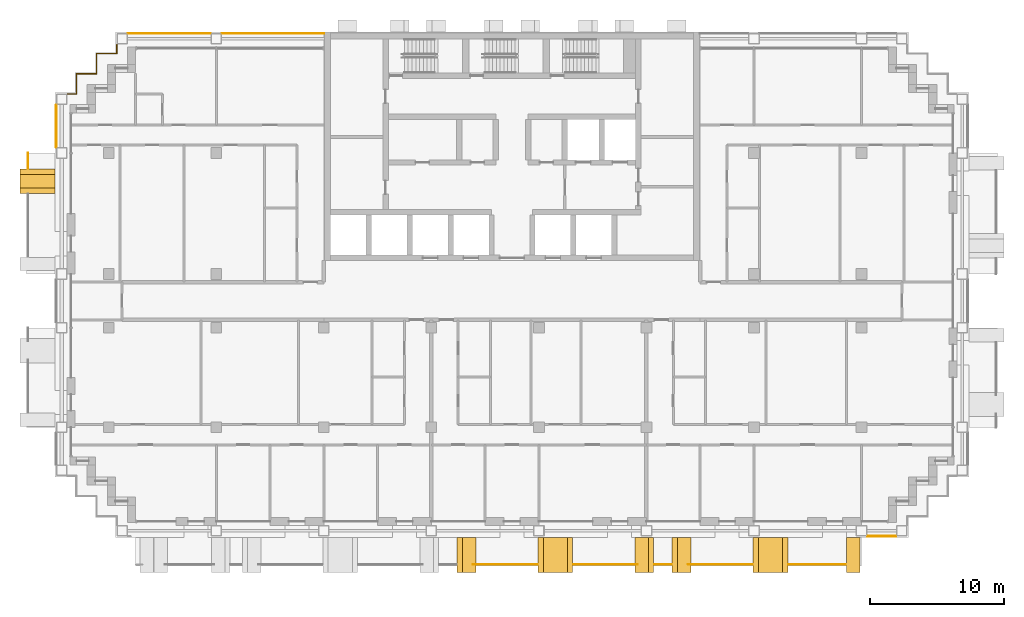
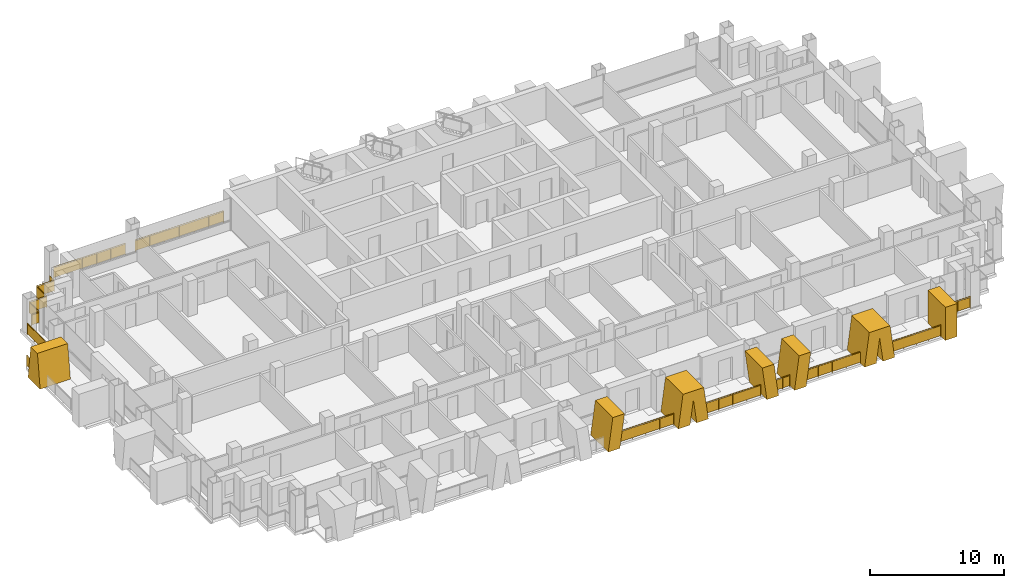
# One storey, part 14 of 16: 11 railings, 7 shading devices.
"""IFC4 building model written with IfcOpenShell, lengths in metres."""

import ifcopenshell
import ifcopenshell.guid

model = None  # the IFC model being written
_history = None  # IfcOwnerHistory: only IFC2X3 demands one
_inside = {}  # id of a spatial element -> (the spatial element, [elements in it])
_under = {}  # id of a project, library or spatial element -> (it, [spatial elements below it])
_declared = {}  # id of a project -> (the project, [libraries it declares])
_typed = {}  # id of a type object -> (the type object, [elements of that type])
_made_of = {}  # id of a material, layer set ... -> (it, [elements and type objects made of it])


def new_model(schema):
    """Start an empty IFC model of exactly this schema.

    Asked for "IFC4X3", IfcOpenShell would pick the latest addendum, in which some entities
    have other attributes; the version numbers below select the first issue.
    IFC2X3 requires an IfcOwnerHistory on every rooted entity: one is made here for all.
    """
    global model, _history
    if schema == "IFC4X3":
        model = ifcopenshell.file(schema_version=(4, 3, 0, 0))
    else:
        model = ifcopenshell.file(schema=schema)
    _inside.clear()
    _under.clear()
    _declared.clear()
    _typed.clear()
    _made_of.clear()
    _history = None
    if model.schema == "IFC2X3":
        org = make("IfcOrganization", Name="unknown")
        user = make(
            "IfcPersonAndOrganization",
            ThePerson=make("IfcPerson", FamilyName="unknown"),
            TheOrganization=org,
        )
        app = make(
            "IfcApplication",
            ApplicationDeveloper=org,
            Version="unknown",
            ApplicationFullName="unknown",
            ApplicationIdentifier="unknown",
        )
        _history = make(
            "IfcOwnerHistory",
            OwningUser=user,
            OwningApplication=app,
            ChangeAction="ADDED",
            CreationDate=0,
        )
    return model


def make(cls, **values):
    """One entity of the class cls with the attributes given. An attribute that is None is left unset."""
    return model.create_entity(
        cls, **{name: value for name, value in values.items() if value is not None}
    )


def rooted(cls, **values):
    """An entity with a GlobalId (a new one), such as an element, a storey or a relation."""
    return make(cls, GlobalId=ifcopenshell.guid.new(), OwnerHistory=_history, **values)


def si_unit(unit_type, name, prefix=None):
    """IfcSIUnit, for example si_unit("LENGTHUNIT", "METRE", prefix="MILLI")."""
    return make("IfcSIUnit", UnitType=unit_type, Prefix=prefix, Name=name)


def assignment(units):
    """IfcUnitAssignment: the units of a project."""
    return None if units is None else make("IfcUnitAssignment", Units=units)


def point(xyz):
    """IfcCartesianPoint."""
    return None if xyz is None else make("IfcCartesianPoint", Coordinates=xyz)


def direction(xyz):
    """IfcDirection."""
    return None if xyz is None else make("IfcDirection", DirectionRatios=xyz)


def frame(location, z_axis=None, x_axis=None):
    """IfcAxis2Placement3D, a coordinate frame: its origin and axes. An axis left out is left unset."""
    return make(
        "IfcAxis2Placement3D",
        Location=point(location),
        Axis=direction(z_axis),
        RefDirection=direction(x_axis),
    )


def frame_2d(location, x_axis=None):
    """IfcAxis2Placement2D, a coordinate frame in the plane: its origin and x axis."""
    return make(
        "IfcAxis2Placement2D", Location=point(location), RefDirection=direction(x_axis)
    )


def origin():
    """The frame at (0, 0, 0) with its axes left unset."""
    return frame((0.0, 0.0, 0.0))


def origin_2d():
    """The frame at (0, 0) in the plane with its x axis left unset."""
    return frame_2d((0.0, 0.0))


def place(relative_to, where):
    """IfcLocalPlacement: puts the frame where relative to a parent placement (None: the world)."""
    return make(
        "IfcLocalPlacement", PlacementRelTo=relative_to, RelativePlacement=where
    )


def context(
    kind, dimensions, precision=None, world=None, true_north=None, identifier=None
):
    """IfcGeometricRepresentationContext, for example the 3D "Model" context."""
    return make(
        "IfcGeometricRepresentationContext",
        ContextIdentifier=identifier,
        ContextType=kind,
        CoordinateSpaceDimension=dimensions,
        Precision=precision,
        WorldCoordinateSystem=world,
        TrueNorth=true_north,
    )


def subcontext(parent, identifier, kind, view, scale=None):
    """IfcGeometricRepresentationSubContext, for example "Body" below "Model"."""
    return make(
        "IfcGeometricRepresentationSubContext",
        ContextIdentifier=identifier,
        ContextType=kind,
        ParentContext=parent,
        TargetScale=scale,
        TargetView=view,
    )


def project(units=None, contexts=None):
    """IfcProject with its units and contexts."""
    return rooted(
        "IfcProject",
        Name="project",
        RepresentationContexts=contexts,
        UnitsInContext=assignment(units),
    )


def spatial(cls, under=None, at=None, **own):
    """A site, building, storey or space (cls), placed at a placement, below another one or the project."""
    s = rooted(cls, ObjectPlacement=at, **own)
    if under is not None:
        _under.setdefault(under.id(), (under, []))[1].append(s)
    return s


def polyline(points):
    """IfcPolyline through the points."""
    return make("IfcPolyline", Points=[point(p) for p in points])


def profile(cls, at=None, kind="AREA", **sizes):
    """A parametric profile (cls). Its sizes go by their IFC names, for example OverallWidth=200.0."""
    return make(cls, ProfileType=kind, Position=at, **sizes)


def rectangle(**sizes):
    """IfcRectangleProfileDef."""
    return profile("IfcRectangleProfileDef", **sizes)


def circle(**sizes):
    """IfcCircleProfileDef."""
    return profile("IfcCircleProfileDef", **sizes)


def outline(outer, holes=None, kind="AREA"):
    """IfcArbitraryClosedProfileDef: a profile drawn as a closed curve; with holes, ...WithVoids."""
    if holes is None:
        return make("IfcArbitraryClosedProfileDef", ProfileType=kind, OuterCurve=outer)
    return make(
        "IfcArbitraryProfileDefWithVoids",
        ProfileType=kind,
        OuterCurve=outer,
        InnerCurves=holes,
    )


def extrude(swept, where, along, depth):
    """IfcExtrudedAreaSolid: the profile swept, set in the frame where, extruded along a direction by depth."""
    return make(
        "IfcExtrudedAreaSolid",
        SweptArea=swept,
        Position=where,
        ExtrudedDirection=direction(along),
        Depth=depth,
    )


def shape(context_of_items, identifier, shape_type, items):
    """IfcShapeRepresentation: the items that make up one representation, for example the "Body"."""
    return make(
        "IfcShapeRepresentation",
        ContextOfItems=context_of_items,
        RepresentationIdentifier=identifier,
        RepresentationType=shape_type,
        Items=items,
    )


def material(Name=None, Category=None):
    """IfcMaterial."""
    return make("IfcMaterial", Name=Name, Category=Category)


def layer(
    of_material, thickness, ventilated=None, Name=None, Category=None, Priority=None
):
    """IfcMaterialLayer: one layer of a wall or slab, of a material (None: an air gap)."""
    return make(
        "IfcMaterialLayer",
        Material=of_material,
        LayerThickness=thickness,
        IsVentilated=ventilated,
        Name=Name,
        Category=Category,
        Priority=Priority,
    )


def layer_set(layers, Name=None):
    """IfcMaterialLayerSet."""
    return make("IfcMaterialLayerSet", MaterialLayers=layers, LayerSetName=Name)


def made_of(thing, what):
    """Note that an element or type object is made of a material, layer set ...; save() writes the relation."""
    if what is not None:
        _made_of.setdefault(what.id(), (what, []))[1].append(thing)
    return thing


def type_object(cls, material=None, **own):
    """A type object (cls), such as IfcWallType, which elements share."""
    return made_of(rooted(cls, **own), material)


def element(
    cls,
    number,
    at=None,
    inside=None,
    cuts=None,
    type_object=None,
    material=None,
    context=None,
    identifier="Body",
    shape_type=None,
    held_by="IfcProductDefinitionShape",
    body=None,
    shapes=None,
    **own,
):
    """One element of the class cls, such as IfcWall. Its Tag is "e" and its number.

    at: its placement. inside: the storey or other place that contains it. cuts: it is an
    opening in that element (IfcRelVoidsElement). A single representation is given by context,
    identifier, shape_type and body (its items); several are given by shapes. held_by: the class
    of the entity that holds the representations. save() writes the other relations.
    """
    e = rooted(cls, Tag="e%d" % number, ObjectPlacement=at, **own)
    if body is not None:
        shapes = [shape(context, identifier, shape_type, body)]
    if shapes is not None:
        e.Representation = make(held_by, Representations=shapes)
    if inside is not None:
        _inside.setdefault(inside.id(), (inside, []))[1].append(e)
    if cuts is not None:
        rooted(
            "IfcRelVoidsElement", RelatingBuildingElement=cuts, RelatedOpeningElement=e
        )
    if type_object is not None:
        _typed.setdefault(type_object.id(), (type_object, []))[1].append(e)
    return made_of(e, material)


def aggregate(whole, parts):
    """IfcRelAggregates: a whole, such as a stair, and the parts it consists of."""
    return rooted("IfcRelAggregates", RelatingObject=whole, RelatedObjects=parts)


def save(model, path):
    """Write the relations noted so far, then the file.

    IfcRelAggregates (storeys below a building ...), IfcRelContainedInSpatialStructure (elements
    in a storey), IfcRelDefinesByType, IfcRelAssociatesMaterial and IfcRelDeclares: one each for
    every whole, place, type object, material and project.
    """
    for whole, parts in _under.values():
        aggregate(whole, parts)
    for where, things in _inside.values():
        rooted(
            "IfcRelContainedInSpatialStructure",
            RelatedElements=things,
            RelatingStructure=where,
        )
    for kind, things in _typed.values():
        rooted("IfcRelDefinesByType", RelatedObjects=things, RelatingType=kind)
    for what, things in _made_of.values():
        rooted("IfcRelAssociatesMaterial", RelatedObjects=things, RelatingMaterial=what)
    for by, libraries in _declared.values():
        rooted("IfcRelDeclares", RelatingContext=by, RelatedDefinitions=libraries)
    model.write(path)


model = new_model("IFC4")

# Units and contexts
model_context = context("Model", 3, precision=1e-05, world=origin(), true_north=direction((0.0, 1.0)))
body_context = subcontext(model_context, "Body", "Model", "MODEL_VIEW")
ifc_project = project(units=[si_unit("LENGTHUNIT", "METRE"), si_unit("AREAUNIT", "SQUARE_METRE"), si_unit("VOLUMEUNIT", "CUBIC_METRE"), si_unit("PLANEANGLEUNIT", "RADIAN"), si_unit("MASSUNIT", "GRAM", prefix="KILO")], contexts=[model_context])

# Site, building, storey
site_placement = place(None, origin())
site = spatial("IfcSite", under=ifc_project, at=site_placement, CompositionType="ELEMENT")
building_placement = place(site_placement, origin())
building = spatial("IfcBuilding", under=site, at=building_placement, Name="Vidyagriha Tower", CompositionType="ELEMENT")
storey_placement = place(building_placement, frame((0.0, 0.0, 129.39990234375)))
storey = spatial("IfcBuildingStorey", under=building, at=storey_placement, Name="L33", CompositionType="ELEMENT", Elevation=129.39990234375)

# Railings
ifc_material_1 = material(Name="Steel ASTM A500 Grade C black painted", Category="steel")
railing_type_1 = type_object("IfcRailingType", Name="Balcony guard 1100", PredefinedType="BALUSTRADE", material=ifc_material_1)
railing_1_placement = place(storey_placement, frame((-36.0, 11.0, 0.0)))
element("IfcRailing", 1, at=railing_1_placement, inside=storey, type_object=railing_type_1, Name="Balcony guard L33 R16.1-1", PredefinedType="BALUSTRADE", context=body_context, shape_type="SweptSolid", body=[
    extrude(circle(Radius=0.02490234375, at=origin_2d()), frame((0.0, 0.0, 1.0751953125), z_axis=(0.0, -1.0, 0.0), x_axis=(1.0, 0.0, 0.0)), (0.0, 0.0, 1.0), 1.14990234375),
    extrude(circle(Radius=0.02001953125, at=origin_2d()), origin(), (0.0, 0.0, 1.0), 1.050048828125),
    extrude(circle(Radius=0.02001953125, at=origin_2d()), frame((0.0, -1.14990234375, 0.0)), (0.0, 0.0, 1.0), 1.050048828125),
    extrude(rectangle(XDim=0.010009765625, YDim=0.900146484375, at=origin_2d()), frame((0.0, 0.0, 0.550048828125), z_axis=(0.0, -1.0, 0.0), x_axis=(1.0, 0.0, 0.0)), (0.0, 0.0, 1.0), 1.14990234375),
])
for number, where, name in (
    (2, (-2.888671875, -19.60009765625, 0.0), "Balcony guard L33 R23.1-7"),
    (3, (4.56494140625, -19.60009765625, 0.0), "Balcony guard L33 R23.1-8"),
):
    element("IfcRailing", number, at=place(storey_placement, frame(where)), inside=storey, type_object=railing_type_1, Name=name, PredefinedType="BALUSTRADE", context=body_context, shape_type="SweptSolid", body=[
        extrude(circle(Radius=0.02490234375, at=origin_2d()), frame((0.0, 0.0, 1.0751953125), z_axis=(1.0, 0.0, 0.0), x_axis=(0.0, 1.0, 0.0)), (0.0, 0.0, 1.0), 4.773681640625),
        extrude(circle(Radius=0.02001953125, at=origin_2d()), origin(), (0.0, 0.0, 1.0), 1.050048828125),
        extrude(circle(Radius=0.02001953125, at=origin_2d()), frame((1.193359375, 0.0, 0.0)), (0.0, 0.0, 1.0), 1.050048828125),
        extrude(circle(Radius=0.02001953125, at=origin_2d()), frame((2.38671875, 0.0, 0.0)), (0.0, 0.0, 1.0), 1.050048828125),
        extrude(circle(Radius=0.02001953125, at=origin_2d()), frame((3.580322265625, 0.0, 0.0)), (0.0, 0.0, 1.0), 1.050048828125),
        extrude(circle(Radius=0.02001953125, at=origin_2d()), frame((4.773681640625, 0.0, 0.0)), (0.0, 0.0, 1.0), 1.050048828125),
        extrude(rectangle(XDim=0.010009765625, YDim=0.900146484375, at=origin_2d()), frame((0.0, 0.0, 0.550048828125), z_axis=(1.0, 0.0, 0.0), x_axis=(0.0, 1.0, 0.0)), (0.0, 0.0, 1.0), 4.773681640625),
    ])
railing_2_placement = place(storey_placement, frame((10.590087890625, -19.60009765625, 0.0)))
element("IfcRailing", 4, at=railing_2_placement, inside=storey, type_object=railing_type_1, Name="Balcony guard L33 R23.1-9", PredefinedType="BALUSTRADE", context=body_context, shape_type="SweptSolid", body=[
    extrude(circle(Radius=0.02490234375, at=origin_2d()), frame((0.0, 0.0, 1.0751953125), z_axis=(1.0, 0.0, 0.0), x_axis=(0.0, 1.0, 0.0)), (0.0, 0.0, 1.0), 1.27001953125),
    extrude(circle(Radius=0.02001953125, at=origin_2d()), origin(), (0.0, 0.0, 1.0), 1.050048828125),
    extrude(circle(Radius=0.02001953125, at=origin_2d()), frame((0.635009765625, 0.0, 0.0)), (0.0, 0.0, 1.0), 1.050048828125),
    extrude(circle(Radius=0.02001953125, at=origin_2d()), frame((1.27001953125, 0.0, 0.0)), (0.0, 0.0, 1.0), 1.050048828125),
    extrude(rectangle(XDim=0.010009765625, YDim=0.900146484375, at=origin_2d()), frame((0.0, 0.0, 0.550048828125), z_axis=(1.0, 0.0, 0.0), x_axis=(0.0, 1.0, 0.0)), (0.0, 0.0, 1.0), 1.27001953125),
])
railing_3_placement = place(storey_placement, frame((13.111328125, -19.60009765625, 0.0)))
element("IfcRailing", 5, at=railing_3_placement, inside=storey, type_object=railing_type_1, Name="Balcony guard L33 R23.1-10", PredefinedType="BALUSTRADE", context=body_context, shape_type="SweptSolid", body=[
    extrude(circle(Radius=0.02490234375, at=origin_2d()), frame((0.0, 0.0, 1.0751953125), z_axis=(1.0, 0.0, 0.0), x_axis=(0.0, 1.0, 0.0)), (0.0, 0.0, 1.0), 4.773681640625),
    extrude(circle(Radius=0.02001953125, at=origin_2d()), origin(), (0.0, 0.0, 1.0), 1.050048828125),
    extrude(circle(Radius=0.02001953125, at=origin_2d()), frame((1.193359375, 0.0, 0.0)), (0.0, 0.0, 1.0), 1.050048828125),
    extrude(circle(Radius=0.02001953125, at=origin_2d()), frame((2.38671875, 0.0, 0.0)), (0.0, 0.0, 1.0), 1.050048828125),
    extrude(circle(Radius=0.02001953125, at=origin_2d()), frame((3.580322265625, 0.0, 0.0)), (0.0, 0.0, 1.0), 1.050048828125),
    extrude(circle(Radius=0.02001953125, at=origin_2d()), frame((4.773681640625, 0.0, 0.0)), (0.0, 0.0, 1.0), 1.050048828125),
    extrude(rectangle(XDim=0.010009765625, YDim=0.900146484375, at=origin_2d()), frame((0.0, 0.0, 0.550048828125), z_axis=(1.0, 0.0, 0.0), x_axis=(0.0, 1.0, 0.0)), (0.0, 0.0, 1.0), 4.773681640625),
])
railing_4_placement = place(storey_placement, frame((20.56494140625, -19.60009765625, 0.0)))
element("IfcRailing", 6, at=railing_4_placement, inside=storey, type_object=railing_type_1, Name="Balcony guard L33 R23.1-11", PredefinedType="BALUSTRADE", context=body_context, shape_type="SweptSolid", body=[
    extrude(circle(Radius=0.02490234375, at=origin_2d()), frame((0.0, 0.0, 1.0751953125), z_axis=(1.0, 0.0, 0.0), x_axis=(0.0, 1.0, 0.0)), (0.0, 0.0, 1.0), 4.260009765625),
    extrude(circle(Radius=0.02001953125, at=origin_2d()), origin(), (0.0, 0.0, 1.0), 1.050048828125),
    extrude(circle(Radius=0.02001953125, at=origin_2d()), frame((1.06494140625, 0.0, 0.0)), (0.0, 0.0, 1.0), 1.050048828125),
    extrude(circle(Radius=0.02001953125, at=origin_2d()), frame((2.1298828125, 0.0, 0.0)), (0.0, 0.0, 1.0), 1.050048828125),
    extrude(circle(Radius=0.02001953125, at=origin_2d()), frame((3.195068359375, 0.0, 0.0)), (0.0, 0.0, 1.0), 1.050048828125),
    extrude(circle(Radius=0.02001953125, at=origin_2d()), frame((4.260009765625, 0.0, 0.0)), (0.0, 0.0, 1.0), 1.050048828125),
    extrude(rectangle(XDim=0.010009765625, YDim=0.900146484375, at=origin_2d()), frame((0.0, 0.0, 0.550048828125), z_axis=(1.0, 0.0, 0.0), x_axis=(0.0, 1.0, 0.0)), (0.0, 0.0, 1.0), 4.260009765625),
])

# Shading devices
ifc_material_2 = material(Name="Precast concrete C40/50 with buff brick facing", Category="concrete")
ifc_layer_1 = layer(ifc_material_2, 1.0)
ifc_layer_set_1 = layer_set([ifc_layer_1], Name="Precast concrete C40/50 with buff brick facing")
shading_device_type_1 = type_object("IfcShadingDeviceType", Name="Brick-faced blade fin arm leaning 8 degrees", PredefinedType="USERDEFINED", material=ifc_layer_set_1)
for number, where, name in (
    (7, (-4.090087890625, -18.89990234375, 0.0), "Leaning blade fin L33 R23.2200a"),
    (8, (11.909912109375, -18.89990234375, 0.0), "Leaning blade fin L33 R23.3800a"),
):
    element("IfcShadingDevice", number, at=place(storey_placement, frame(where)), inside=storey, type_object=shading_device_type_1, Name=name, ObjectType="BLADE FIN", PredefinedType="USERDEFINED", context=body_context, shape_type="SweptSolid", body=[
        extrude(outline(polyline([(0.0, 0.0), (1.0, 0.0), (1.39501953125, 3.0), (0.39501953125, 3.0), (0.0, 0.0)])), frame((0.0, 1.300048828125, 0.0), z_axis=(0.0, -1.0, 0.0), x_axis=(1.0, 0.0, 0.0)), (0.0, 0.0, 1.0), 2.60009765625),
    ])
shading_device_1_placement = place(storey_placement, frame((9.14501953125, -18.89990234375, 0.0)))
element("IfcShadingDevice", 9, at=shading_device_1_placement, inside=storey, type_object=shading_device_type_1, Name="Leaning blade fin L33 R23.3800b", ObjectType="BLADE FIN", PredefinedType="USERDEFINED", context=body_context, shape_type="SweptSolid", body=[
    extrude(outline(polyline([(0.39501953125, 0.0), (1.39501953125, 0.0), (1.0, 3.0), (0.0, 3.0), (0.39501953125, 0.0)])), frame((0.0, 1.300048828125, 0.0), z_axis=(0.0, -1.0, 0.0), x_axis=(1.0, 0.0, 0.0)), (0.0, 0.0, 1.0), 2.60009765625),
])
ifc_material_3 = material(Name="Precast concrete C40/50 with buff brick facing", Category="concrete")
ifc_layer_2 = layer(ifc_material_3, 1.0)
ifc_layer_set_2 = layer_set([ifc_layer_2], Name="Precast concrete C40/50 with buff brick facing")
shading_device_type_2 = type_object("IfcShadingDeviceType", Name="Brick-faced blade fin forking 8 degrees", PredefinedType="USERDEFINED", material=ifc_layer_set_2)
shading_device_2_placement = place(storey_placement, frame((-35.300048828125, 9.800048828125, 0.0), z_axis=(0.0, 0.0, 1.0), x_axis=(0.0, -1.0, 0.0)))
element("IfcShadingDevice", 10, at=shading_device_2_placement, inside=storey, type_object=shading_device_type_2, Name="Forked blade fin L33 R16.300a", ObjectType="BLADE FIN", PredefinedType="USERDEFINED", context=body_context, shape_type="SweptSolid", body=[
    extrude(outline(polyline([(0.0, 0.0), (1.800048828125, 0.0), (1.39990234375, 3.0), (0.39990234375, 3.0), (0.0, 0.0)])), frame((0.0, 1.300048828125, 0.0), z_axis=(0.0, -1.0, 0.0), x_axis=(1.0, 0.0, 0.0)), (0.0, 0.0, 1.0), 2.60009765625),
])
for number, where, name in (
    (11, (1.93505859375, -18.89990234375, 0.0), "Forked blade fin L33 R23.3000a"),
    (12, (17.93505859375, -18.89990234375, 0.0), "Forked blade fin L33 R23.4600a"),
):
    element("IfcShadingDevice", number, at=place(storey_placement, frame(where)), inside=storey, type_object=shading_device_type_2, Name=name, ObjectType="BLADE FIN", PredefinedType="USERDEFINED", context=body_context, shape_type="SweptSolid", body=[
        extrude(outline(polyline([(1.0, 0.0), (1.2900390625, 2.20263671875), (1.580078125, 0.0), (2.580078125, 0.0), (2.18505859375, 3.0), (0.39501953125, 3.0), (0.0, 0.0), (1.0, 0.0)])), frame((0.0, 1.300048828125, 0.0), z_axis=(0.0, -1.0, 0.0), x_axis=(1.0, 0.0, 0.0)), (0.0, 0.0, 1.0), 2.60009765625),
    ])
ifc_material_4 = material(Name="Precast concrete C40/50 with buff brick facing", Category="concrete")
ifc_layer_3 = layer(ifc_material_4, 1.0)
ifc_layer_set_3 = layer_set([ifc_layer_3], Name="Precast concrete C40/50 with buff brick facing")
shading_device_type_3 = type_object("IfcShadingDeviceType", Name="Brick-faced blade fin stem 1000", PredefinedType="USERDEFINED", material=ifc_layer_set_3)
shading_device_3_placement = place(storey_placement, frame((24.875, -18.89990234375, 0.0)))
element("IfcShadingDevice", 13, at=shading_device_3_placement, inside=storey, type_object=shading_device_type_3, Name="Stem blade fin L33 R23.5400a", ObjectType="BLADE FIN", PredefinedType="USERDEFINED", context=body_context, shape_type="SweptSolid", body=[
    extrude(outline(polyline([(0.0, 0.0), (1.0, 0.0), (1.0, 3.0), (0.0, 3.0), (0.0, 0.0)])), frame((0.0, 1.300048828125, 0.0), z_axis=(0.0, -1.0, 0.0), x_axis=(1.0, 0.0, 0.0)), (0.0, 0.0, 1.0), 2.60009765625),
])

# Railings
ifc_material_5 = material(Name="Steel ASTM A500 Grade C black painted", Category="steel")
railing_type_2 = type_object("IfcRailingType", Name="Gallery guard 1100", PredefinedType="GUARDRAIL", material=ifc_material_5)
railing_5_placement = place(storey_placement, frame((-33.89990234375, 11.429931640625, 0.0)))
element("IfcRailing", 14, at=railing_5_placement, inside=storey, type_object=railing_type_2, Name="Gallery guard L33 3", PredefinedType="GUARDRAIL", context=body_context, shape_type="SweptSolid", body=[
    extrude(circle(Radius=0.02490234375, at=origin_2d()), frame((0.0, 0.0, 1.0751953125), z_axis=(0.0, 1.0, 0.0), x_axis=(-1.0, 0.0, 0.0)), (0.0, 0.0, 1.0), 3.14013671875),
    extrude(circle(Radius=0.02001953125, at=origin_2d()), origin(), (0.0, 0.0, 1.0), 1.050048828125),
    extrude(circle(Radius=0.02001953125, at=origin_2d()), frame((0.0, 1.046630859375, 0.0)), (0.0, 0.0, 1.0), 1.050048828125),
    extrude(circle(Radius=0.02001953125, at=origin_2d()), frame((0.0, 2.093505859375, 0.0)), (0.0, 0.0, 1.0), 1.050048828125),
    extrude(circle(Radius=0.02001953125, at=origin_2d()), frame((0.0, 3.14013671875, 0.0)), (0.0, 0.0, 1.0), 1.050048828125),
    extrude(rectangle(XDim=0.010009765625, YDim=0.900146484375, at=origin_2d()), frame((0.0, 0.0, 0.550048828125), z_axis=(0.0, 1.0, 0.0), x_axis=(-1.0, 0.0, 0.0)), (0.0, 0.0, 1.0), 3.14013671875),
])
railing_6_placement = place(storey_placement, frame((-33.070068359375, 15.39990234375, 0.0)))
element("IfcRailing", 15, at=railing_6_placement, inside=storey, type_object=railing_type_2, Name="Gallery guard L33 5", PredefinedType="GUARDRAIL", context=body_context, shape_type="SweptSolid", body=[
    extrude(circle(Radius=0.02490234375, at=origin_2d()), frame((0.0, 0.0, 1.0751953125), z_axis=(1.0, 0.0, 0.0), x_axis=(0.0, 1.0, 0.0)), (0.0, 0.0, 1.0), 0.670166015625),
    extrude(circle(Radius=0.02490234375, at=origin_2d()), frame((0.670166015625, 0.0, 1.0751953125), z_axis=(0.0, 1.0, 0.0), x_axis=(-1.0, 0.0, 0.0)), (0.0, 0.0, 1.0), 1.5),
    extrude(circle(Radius=0.02490234375, at=origin_2d()), frame((0.670166015625, 1.5, 1.0751953125), z_axis=(1.0, 0.0, 0.0), x_axis=(0.0, 1.0, 0.0)), (0.0, 0.0, 1.0), 1.5),
    extrude(circle(Radius=0.02490234375, at=origin_2d()), frame((2.170166015625, 1.5, 1.0751953125), z_axis=(0.0, 1.0, 0.0), x_axis=(-1.0, 0.0, 0.0)), (0.0, 0.0, 1.0), 1.5),
    extrude(circle(Radius=0.02490234375, at=origin_2d()), frame((2.170166015625, 3.0, 1.0751953125), z_axis=(1.0, 0.0, 0.0), x_axis=(0.0, 1.0, 0.0)), (0.0, 0.0, 1.0), 1.5),
    extrude(circle(Radius=0.02490234375, at=origin_2d()), frame((3.670166015625, 3.0, 1.0751953125), z_axis=(0.0, 1.0, 0.0), x_axis=(-1.0, 0.0, 0.0)), (0.0, 0.0, 1.0), 0.670166015625),
    extrude(circle(Radius=0.02001953125, at=origin_2d()), origin(), (0.0, 0.0, 1.0), 1.050048828125),
    extrude(circle(Radius=0.02001953125, at=origin_2d()), frame((0.670166015625, 0.0, 0.0)), (0.0, 0.0, 1.0), 1.050048828125),
    extrude(circle(Radius=0.02001953125, at=origin_2d()), frame((0.670166015625, 1.5, 0.0)), (0.0, 0.0, 1.0), 1.050048828125),
    extrude(circle(Radius=0.02001953125, at=origin_2d()), frame((2.170166015625, 1.5, 0.0)), (0.0, 0.0, 1.0), 1.050048828125),
    extrude(circle(Radius=0.02001953125, at=origin_2d()), frame((2.170166015625, 3.0, 0.0)), (0.0, 0.0, 1.0), 1.050048828125),
    extrude(circle(Radius=0.02001953125, at=origin_2d()), frame((3.670166015625, 3.0, 0.0)), (0.0, 0.0, 1.0), 1.050048828125),
    extrude(circle(Radius=0.02001953125, at=origin_2d()), frame((3.670166015625, 3.670166015625, 0.0)), (0.0, 0.0, 1.0), 1.050048828125),
    extrude(rectangle(XDim=0.010009765625, YDim=0.900146484375, at=origin_2d()), frame((0.0, 0.0, 0.550048828125), z_axis=(1.0, 0.0, 0.0), x_axis=(0.0, 1.0, 0.0)), (0.0, 0.0, 1.0), 0.670166015625),
    extrude(rectangle(XDim=0.010009765625, YDim=0.900146484375, at=origin_2d()), frame((0.670166015625, 0.0, 0.550048828125), z_axis=(0.0, 1.0, 0.0), x_axis=(-1.0, 0.0, 0.0)), (0.0, 0.0, 1.0), 1.5),
    extrude(rectangle(XDim=0.010009765625, YDim=0.900146484375, at=origin_2d()), frame((0.670166015625, 1.5, 0.550048828125), z_axis=(1.0, 0.0, 0.0), x_axis=(0.0, 1.0, 0.0)), (0.0, 0.0, 1.0), 1.5),
    extrude(rectangle(XDim=0.010009765625, YDim=0.900146484375, at=origin_2d()), frame((2.170166015625, 1.5, 0.550048828125), z_axis=(0.0, 1.0, 0.0), x_axis=(-1.0, 0.0, 0.0)), (0.0, 0.0, 1.0), 1.5),
    extrude(rectangle(XDim=0.010009765625, YDim=0.900146484375, at=origin_2d()), frame((2.170166015625, 3.0, 0.550048828125), z_axis=(1.0, 0.0, 0.0), x_axis=(0.0, 1.0, 0.0)), (0.0, 0.0, 1.0), 1.5),
    extrude(rectangle(XDim=0.010009765625, YDim=0.900146484375, at=origin_2d()), frame((3.670166015625, 3.0, 0.550048828125), z_axis=(0.0, 1.0, 0.0), x_axis=(-1.0, 0.0, 0.0)), (0.0, 0.0, 1.0), 0.670166015625),
])
railing_7_placement = place(storey_placement, frame((-28.570068359375, 19.89990234375, 0.0)))
element("IfcRailing", 16, at=railing_7_placement, inside=storey, type_object=railing_type_2, Name="Gallery guard L33 7", PredefinedType="GUARDRAIL", context=body_context, shape_type="SweptSolid", body=[
    extrude(circle(Radius=0.02490234375, at=origin_2d()), frame((0.0, 0.0, 1.0751953125), z_axis=(1.0, 0.0, 0.0), x_axis=(0.0, 1.0, 0.0)), (0.0, 0.0, 1.0), 6.14013671875),
    extrude(circle(Radius=0.02001953125, at=origin_2d()), origin(), (0.0, 0.0, 1.0), 1.050048828125),
    extrude(circle(Radius=0.02001953125, at=origin_2d()), frame((1.22802734375, 0.0, 0.0)), (0.0, 0.0, 1.0), 1.050048828125),
    extrude(circle(Radius=0.02001953125, at=origin_2d()), frame((2.4560546875, 0.0, 0.0)), (0.0, 0.0, 1.0), 1.050048828125),
    extrude(circle(Radius=0.02001953125, at=origin_2d()), frame((3.68408203125, 0.0, 0.0)), (0.0, 0.0, 1.0), 1.050048828125),
    extrude(circle(Radius=0.02001953125, at=origin_2d()), frame((4.912109375, 0.0, 0.0)), (0.0, 0.0, 1.0), 1.050048828125),
    extrude(circle(Radius=0.02001953125, at=origin_2d()), frame((6.14013671875, 0.0, 0.0)), (0.0, 0.0, 1.0), 1.050048828125),
    extrude(rectangle(XDim=0.010009765625, YDim=0.900146484375, at=origin_2d()), frame((0.0, 0.0, 0.550048828125), z_axis=(1.0, 0.0, 0.0), x_axis=(0.0, 1.0, 0.0)), (0.0, 0.0, 1.0), 6.14013671875),
])
railing_8_placement = place(storey_placement, frame((-21.570068359375, 19.89990234375, 0.0)))
element("IfcRailing", 17, at=railing_8_placement, inside=storey, type_object=railing_type_2, Name="Gallery guard L33 8", PredefinedType="GUARDRAIL", context=body_context, shape_type="SweptSolid", body=[
    extrude(circle(Radius=0.02490234375, at=origin_2d()), frame((0.0, 0.0, 1.0751953125), z_axis=(1.0, 0.0, 0.0), x_axis=(0.0, 1.0, 0.0)), (0.0, 0.0, 1.0), 7.590087890625),
    extrude(circle(Radius=0.02001953125, at=origin_2d()), origin(), (0.0, 0.0, 1.0), 1.050048828125),
    extrude(circle(Radius=0.02001953125, at=origin_2d()), frame((1.26513671875, 0.0, 0.0)), (0.0, 0.0, 1.0), 1.050048828125),
    extrude(circle(Radius=0.02001953125, at=origin_2d()), frame((2.530029296875, 0.0, 0.0)), (0.0, 0.0, 1.0), 1.050048828125),
    extrude(circle(Radius=0.02001953125, at=origin_2d()), frame((3.794921875, 0.0, 0.0)), (0.0, 0.0, 1.0), 1.050048828125),
    extrude(circle(Radius=0.02001953125, at=origin_2d()), frame((5.06005859375, 0.0, 0.0)), (0.0, 0.0, 1.0), 1.050048828125),
    extrude(circle(Radius=0.02001953125, at=origin_2d()), frame((6.3251953125, 0.0, 0.0)), (0.0, 0.0, 1.0), 1.050048828125),
    extrude(circle(Radius=0.02001953125, at=origin_2d()), frame((7.590087890625, 0.0, 0.0)), (0.0, 0.0, 1.0), 1.050048828125),
    extrude(rectangle(XDim=0.010009765625, YDim=0.900146484375, at=origin_2d()), frame((0.0, 0.0, 0.550048828125), z_axis=(1.0, 0.0, 0.0), x_axis=(0.0, 1.0, 0.0)), (0.0, 0.0, 1.0), 7.590087890625),
])
railing_9_placement = place(storey_placement, frame((28.570068359375, -17.5, 0.0)))
element("IfcRailing", 18, at=railing_9_placement, inside=storey, type_object=railing_type_2, Name="Gallery guard L33 11", PredefinedType="GUARDRAIL", context=body_context, shape_type="SweptSolid", body=[
    extrude(circle(Radius=0.02490234375, at=origin_2d()), frame((0.0, 0.0, 1.0751953125), z_axis=(-1.0, 0.0, 0.0), x_axis=(0.0, -1.0, 0.0)), (0.0, 0.0, 1.0), 2.14013671875),
    extrude(circle(Radius=0.02001953125, at=origin_2d()), origin(), (0.0, 0.0, 1.0), 1.050048828125),
    extrude(circle(Radius=0.02001953125, at=origin_2d()), frame((-1.070068359375, 0.0, 0.0)), (0.0, 0.0, 1.0), 1.050048828125),
    extrude(circle(Radius=0.02001953125, at=origin_2d()), frame((-2.14013671875, 0.0, 0.0)), (0.0, 0.0, 1.0), 1.050048828125),
    extrude(rectangle(XDim=0.010009765625, YDim=0.900146484375, at=origin_2d()), frame((0.0, 0.0, 0.550048828125), z_axis=(-1.0, 0.0, 0.0), x_axis=(0.0, -1.0, 0.0)), (0.0, 0.0, 1.0), 2.14013671875),
])

save(model, "model.ifc")
